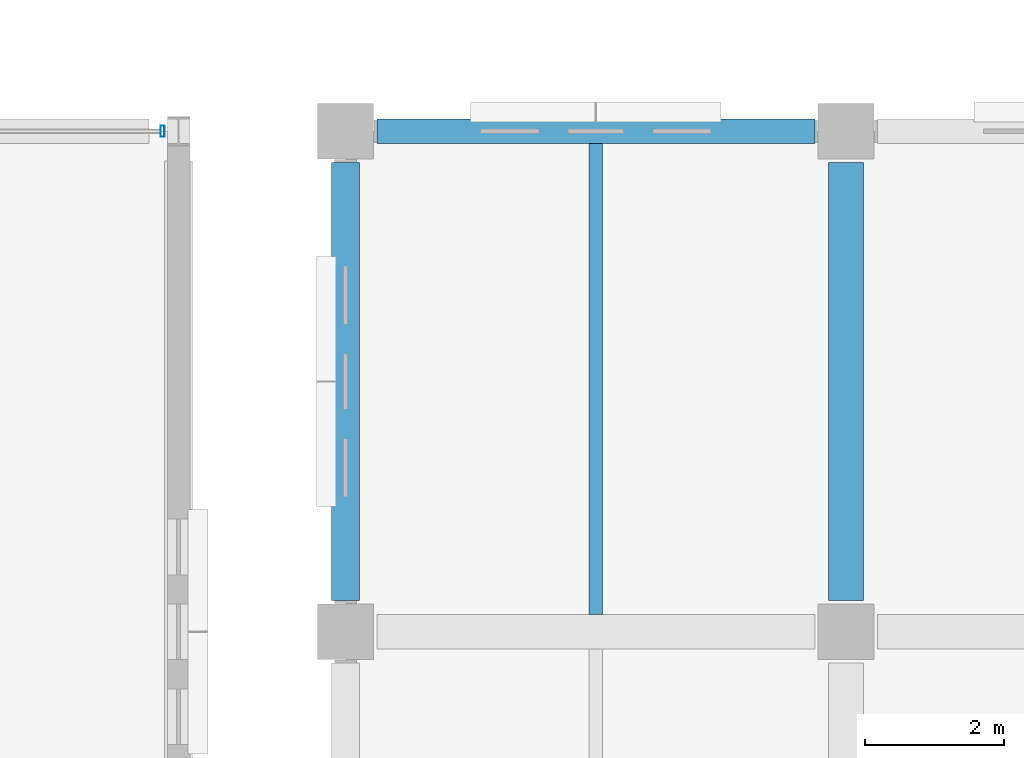
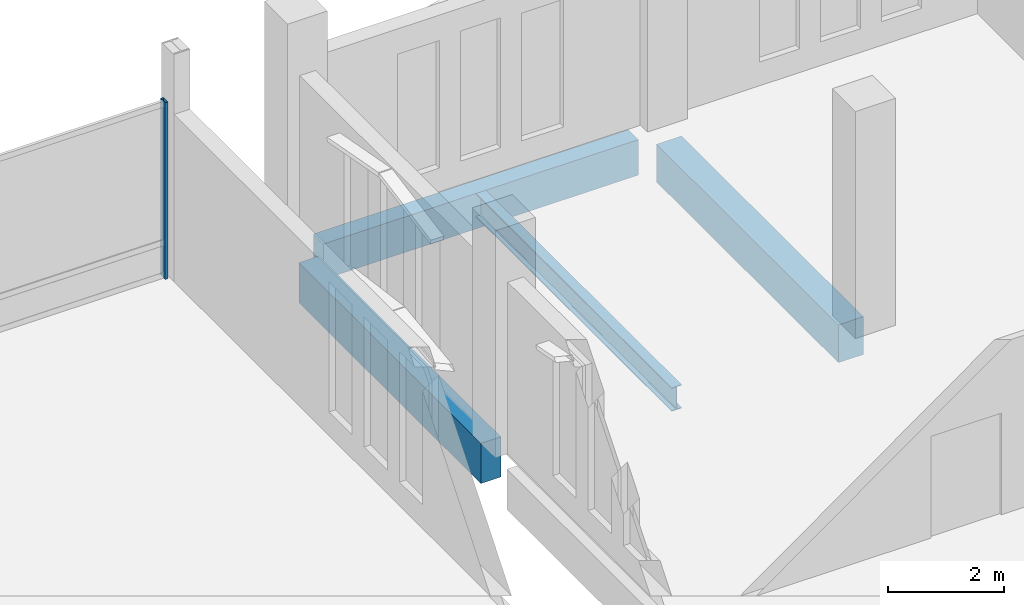
# One storey, part 84 of 220: 4 beams, 1 member, 1 element without a shape of its own.
"""IFC4 building model written with IfcOpenShell, lengths in metres."""

from ifc_helpers import new_model, si_unit, direction, frame, origin, origin_2d, place, context, subcontext, project, spatial, rectangle, hollow_rectangle, i_section, extrude, material, material_profile, profile_set, type_object, element, aggregate, save


model = new_model("IFC4")

# Units and contexts
model_context = context("Model", 3, precision=1e-05, world=origin(), true_north=direction((0.0, 1.0)))
body_context = subcontext(model_context, "Body", "Model", "MODEL_VIEW")
ifc_project = project(units=[si_unit("LENGTHUNIT", "METRE"), si_unit("AREAUNIT", "SQUARE_METRE"), si_unit("VOLUMEUNIT", "CUBIC_METRE"), si_unit("PLANEANGLEUNIT", "RADIAN"), si_unit("MASSUNIT", "GRAM", prefix="KILO")], contexts=[model_context])

# Site, building, storey
site_placement = place(None, origin())
site = spatial("IfcSite", under=ifc_project, at=site_placement, CompositionType="ELEMENT")
building_placement = place(site_placement, origin())
building = spatial("IfcBuilding", under=site, at=building_placement, Name="Cendralis Lancet Convention Centre", CompositionType="ELEMENT")
storey_placement = place(building_placement, frame((0.0, 0.0, 5.39990234375)))
storey = spatial("IfcBuildingStorey", under=building, at=storey_placement, Name="L01", CompositionType="ELEMENT", Elevation=5.39990234375)

# Curtain wall, member
ifc_material_1 = material(Name="Anodised bronze architectural aluminium", Category="aluminium")
curtain_wall_type = type_object("IfcCurtainWallType", Name="ARC-CW-CL02", PredefinedType="USERDEFINED", material=ifc_material_1)
curtain_wall_placement = place(storey_placement, origin())
curtain_wall = element("IfcCurtainWall", 1, at=curtain_wall_placement, inside=storey, type_object=curtain_wall_type, Name="L01 Curtain Wall CW-CL2 #169", ObjectType="CURTAIN WALL", PredefinedType="USERDEFINED")
ifc_material_profile_1 = material_profile(ifc_material_1, hollow_rectangle(XDim=0.06005859375, YDim=0.159912109375, WallThickness=0.00390625, at=origin_2d()), Name="AL-MULL 60x160x4.0")
ifc_profile_set_1 = profile_set([ifc_material_profile_1], Name="Anodised bronze architectural aluminium")
member_type = type_object("IfcMemberType", Name="ARC-CW-ML01", PredefinedType="MULLION", material=ifc_profile_set_1)
member_placement = place(storey_placement, frame((129.3701171875, 36.0, 0.0), z_axis=(0.0, 0.0, 1.0), x_axis=(1.0, 0.0, 0.0)))
member = element("IfcMember", 2, at=member_placement, type_object=member_type, Name="Mullion CW2-CW-CL2-L01-169-M2", PredefinedType="MULLION", context=body_context, shape_type="SweptSolid", body=[
    extrude(hollow_rectangle(XDim=0.06005859375, YDim=0.159912109375, WallThickness=0.00390625, at=origin_2d()), origin(), (0.0, 0.0, 1.0), 3.735107421875),
])
aggregate(curtain_wall, [member])

# Beams
ifc_material_2 = material(Name="Concrete G35 (C35/45)", Category="concrete")
ifc_material_profile_2 = material_profile(ifc_material_2, rectangle(XDim=0.5, YDim=0.800048828125, at=origin_2d()), Name="RCB 500x800")
ifc_profile_set_2 = profile_set([ifc_material_profile_2], Name="Concrete G35 (C35/45)")
beam_type_1 = type_object("IfcBeamType", Name="STR-BM-BG09", PredefinedType="BEAM", material=ifc_profile_set_2)
beam_1_placement = place(storey_placement, frame((139.199951171875, 29.25, -0.679931640625), z_axis=(0.0, 1.0, 0.0), x_axis=(-1.0, 0.0, 0.0)))
element("IfcBeam", 3, at=beam_1_placement, inside=storey, type_object=beam_type_1, Name="L01 Beam BG09 #0184", PredefinedType="BEAM", context=body_context, shape_type="SweptSolid", body=[
    extrude(rectangle(XDim=0.5, YDim=0.800048828125, at=origin_2d()), origin(), (0.0, 0.0, 1.0), 6.300048828125),
])
ifc_material_3 = material(Name="Steel S355", Category="steel")
ifc_material_profile_3 = material_profile(ifc_material_3, i_section(OverallWidth=0.199951171875, OverallDepth=0.5, WebThickness=0.01025390625, FlangeThickness=0.01611328125, FilletRadius=0.02099609375, at=origin_2d()), Name="IPE 500")
ifc_profile_set_3 = profile_set([ifc_material_profile_3], Name="Steel S355")
beam_type_2 = type_object("IfcBeamType", Name="STR-JS-BJ06", PredefinedType="JOIST", material=ifc_profile_set_3)
beam_2_placement = place(storey_placement, frame((135.60009765625, 29.050048828125, -0.52978515625), z_axis=(0.0, 1.0, 0.0), x_axis=(-1.0, 0.0, 0.0)))
element("IfcBeam", 4, at=beam_2_placement, inside=storey, type_object=beam_type_2, Name="L01 Beam BJ06 #0222", PredefinedType="JOIST", context=body_context, shape_type="SweptSolid", body=[
    extrude(i_section(OverallWidth=0.199951171875, OverallDepth=0.5, WebThickness=0.01025390625, FlangeThickness=0.01611328125, FilletRadius=0.02099609375, at=origin_2d()), origin(), (0.0, 0.0, 1.0), 6.77490234375),
])
ifc_material_4 = material(Name="Concrete G40 (C40/50)", Category="concrete")
ifc_material_profile_4 = material_profile(ifc_material_4, rectangle(XDim=0.35009765625, YDim=0.75, at=origin_2d()), Name="RCB 350x750")
ifc_profile_set_4 = profile_set([ifc_material_profile_4], Name="Concrete G40 (C40/50)")
beam_type_3 = type_object("IfcBeamType", Name="STR-SP-SP01", PredefinedType="SPANDREL", material=ifc_profile_set_4)
beam_3_placement = place(storey_placement, frame((132.449951171875, 36.0, -0.65478515625), z_axis=(1.0, 0.0, 0.0), x_axis=(0.0, 1.0, 0.0)))
element("IfcBeam", 5, at=beam_3_placement, inside=storey, type_object=beam_type_3, Name="L01 Beam SP01 #0167", PredefinedType="SPANDREL", context=body_context, shape_type="SweptSolid", body=[
    extrude(rectangle(XDim=0.35009765625, YDim=0.75, at=origin_2d()), origin(), (0.0, 0.0, 1.0), 6.300048828125),
])
ifc_material_profile_5 = material_profile(ifc_material_4, rectangle(XDim=0.39990234375, YDim=0.85009765625, at=origin_2d()), Name="RCB 400x850")
ifc_profile_set_5 = profile_set([ifc_material_profile_5], Name="Concrete G40 (C40/50)")
beam_type_4 = type_object("IfcBeamType", Name="STR-SP-SP02", PredefinedType="SPANDREL", material=ifc_profile_set_5)
beam_4_placement = place(storey_placement, frame((132.0, 29.25, -0.704833984375), z_axis=(0.0, 1.0, 0.0), x_axis=(-1.0, 0.0, 0.0)))
element("IfcBeam", 6, at=beam_4_placement, inside=storey, type_object=beam_type_4, Name="L01 Beam SP02 #0180", PredefinedType="SPANDREL", context=body_context, shape_type="SweptSolid", body=[
    extrude(rectangle(XDim=0.39990234375, YDim=0.85009765625, at=origin_2d()), origin(), (0.0, 0.0, 1.0), 6.300048828125),
])

save(model, "model.ifc")
